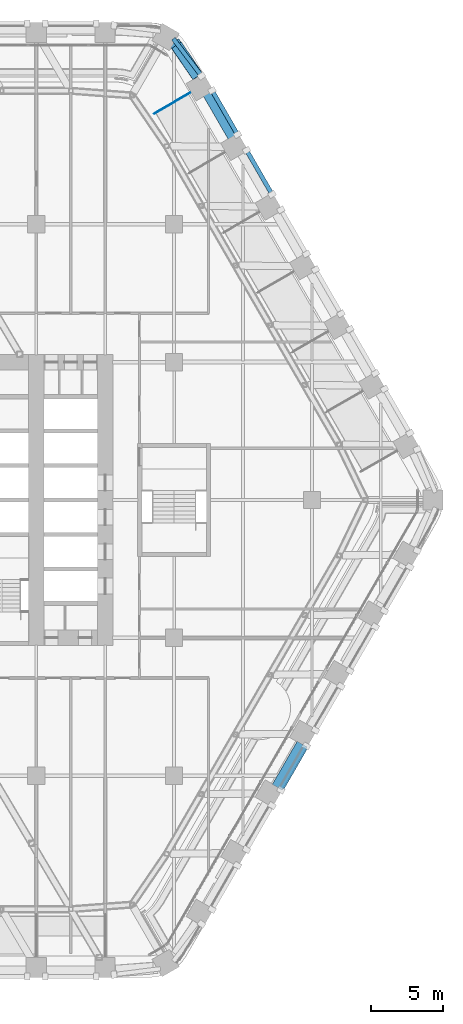
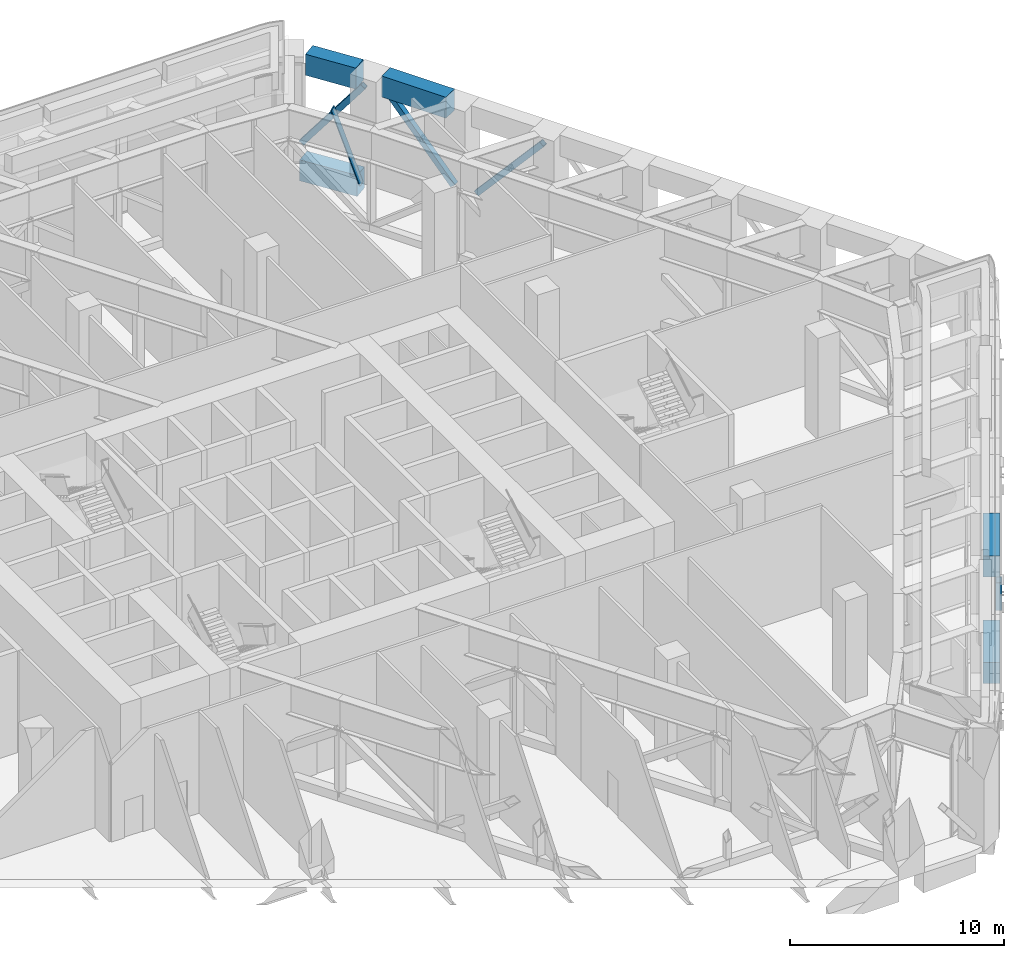
# One storey, part 11 of 35: 5 beams, 5 members, 1 element without a shape of its own.
"""IFC4 building model written with IfcOpenShell, lengths in metres."""

from ifc_helpers import new_model, si_unit, direction, frame, origin, origin_2d, place, context, subcontext, project, spatial, rectangle, hollow_rectangle, extrude, material, material_profile, profile_set, type_object, element, aggregate, save


model = new_model("IFC4")

# Units and contexts
model_context = context("Model", 3, precision=1e-05, world=origin(), true_north=direction((0.0, 1.0)))
body_context = subcontext(model_context, "Body", "Model", "MODEL_VIEW")
ifc_project = project(units=[si_unit("LENGTHUNIT", "METRE"), si_unit("AREAUNIT", "SQUARE_METRE"), si_unit("VOLUMEUNIT", "CUBIC_METRE"), si_unit("PLANEANGLEUNIT", "RADIAN"), si_unit("MASSUNIT", "GRAM", prefix="KILO")], contexts=[model_context])

# Site, building, storey
site_placement = place(None, origin())
site = spatial("IfcSite", under=ifc_project, at=site_placement, CompositionType="ELEMENT")
building_placement = place(site_placement, origin())
building = spatial("IfcBuilding", under=site, at=building_placement, Name="Kolab Exchange Tower", CompositionType="ELEMENT")
storey_placement = place(building_placement, frame((0.0, 0.0, 71.89990234375)))
storey = spatial("IfcBuildingStorey", under=building, at=storey_placement, Name="L13", CompositionType="ELEMENT", Elevation=71.89990234375)

# Members
ifc_material_1 = material(Name="Steel S355", Category="steel")
ifc_material_profile_1 = material_profile(ifc_material_1, hollow_rectangle(XDim=0.300048828125, YDim=0.300048828125, WallThickness=0.01611328125, at=origin_2d()), Name="HSS300X300X16")
ifc_profile_set_1 = profile_set([ifc_material_profile_1], Name="Steel S355")
member_type_1 = type_object("IfcMemberType", Name="BELT TRUSS BRACE HSS300X300X16", PredefinedType="BRACE", material=ifc_profile_set_1)
member_1_placement = place(storey_placement, frame((19.220947265625, 32.02978515625, 0.400146484375), z_axis=(0.369353435325, -0.486393319457, 0.791833049703), x_axis=(0.7964030968, 0.604766159278, 0.0)))
element("IfcMember", 1, at=member_1_placement, inside=storey, type_object=member_type_1, Name="mem/L13/fb/F2-01", PredefinedType="BRACE", context=body_context, shape_type="SweptSolid", body=[
    extrude(hollow_rectangle(XDim=0.300048828125, YDim=0.300048828125, WallThickness=0.01611328125, at=origin_2d()), origin(), (0.0, 0.0, 1.0), 5.11474609375),
])
for number, where, z_axis, x_axis, name in (
    (2, (21.851318359375, 28.51171875, 4.4501953125), (0.328639455646, -0.569235883224, -0.753635599904), (0.866031355668, 0.499989690894, 0.0), "mem/L13/fb/F2-02"),
    (3, (24.251220703125, 24.354736328125, 0.400146484375), (0.328679977978, -0.569227384114, 0.753624347571), (0.866001427184, 0.500041526391, 0.0), "mem/L13/fb/F2-03"),
):
    element("IfcMember", number, at=place(storey_placement, frame(where, z_axis=z_axis, x_axis=x_axis)), inside=storey, type_object=member_type_1, Name=name, PredefinedType="BRACE", context=body_context, shape_type="SweptSolid", body=[
        extrude(hollow_rectangle(XDim=0.300048828125, YDim=0.300048828125, WallThickness=0.01611328125, at=origin_2d()), origin(), (0.0, 0.0, 1.0), 5.3740234375),
    ])
member_2_placement = place(storey_placement, frame((28.41748046875, -17.138916015625, 0.400146484375), z_axis=(-0.328647954349, -0.569205172801, 0.753655089121), x_axis=(0.866014075672, -0.500019620354, 0.0)))
element("IfcMember", 4, at=member_2_placement, inside=storey, type_object=member_type_1, Name="mem/L13/fb/F3-05", PredefinedType="BRACE", context=body_context, shape_type="SweptSolid", body=[
    extrude(hollow_rectangle(XDim=0.300048828125, YDim=0.300048828125, WallThickness=0.01611328125, at=origin_2d()), origin(), (0.0, 0.0, 1.0), 5.373779296875),
])

# Curtain wall, member
ifc_material_2 = material(Name="Aluminium EN AW-6063 T6", Category="aluminium")
curtain_wall_type = type_object("IfcCurtainWallType", Name="CANTED BAND CURTAIN WALL", PredefinedType="NOTDEFINED", material=ifc_material_2)
curtain_wall_placement = place(storey_placement, origin())
curtain_wall = element("IfcCurtainWall", 5, at=curtain_wall_placement, inside=storey, type_object=curtain_wall_type, Name="band/L13/F2", PredefinedType="NOTDEFINED")
ifc_material_profile_2 = material_profile(ifc_material_2, rectangle(XDim=0.06005859375, YDim=0.300048828125, at=origin_2d()), Name="RECT 60X300")
ifc_profile_set_2 = profile_set([ifc_material_profile_2], Name="Aluminium EN AW-6063 T6")
member_type_2 = type_object("IfcMemberType", Name="CANTED BAND MULLION 60 X 300", PredefinedType="MULLION", material=ifc_profile_set_2)
member_3_placement = place(storey_placement, frame((20.231689453125, 28.308349609375, -0.099853515625), z_axis=(-0.355833859075, -0.205421357987, 0.911693111973), x_axis=(0.499964557259, -0.866045865693, 0.0)))
member_3 = element("IfcMember", 6, at=member_3_placement, type_object=member_type_2, Name="Band mullion", PredefinedType="MULLION", context=body_context, shape_type="SweptSolid", body=[
    extrude(rectangle(XDim=0.06005859375, YDim=0.300048828125, at=origin_2d()), origin(), (0.0, 0.0, 1.0), 6.515380859375),
])
aggregate(curtain_wall, [member_3])

# Beams
ifc_material_3 = material(Name="Concrete C80/95", Category="concrete")
ifc_material_profile_3 = material_profile(ifc_material_3, rectangle(XDim=0.800048828125, YDim=1.199951171875, at=origin_2d()), Name="RC800X1200")
ifc_profile_set_3 = profile_set([ifc_material_profile_3], Name="Concrete C80/95")
beam_type = type_object("IfcBeamType", Name="SPANDREL BEAM 800X1200 C80/95", PredefinedType="BEAM", material=ifc_profile_set_3)
beam_1_placement = place(storey_placement, frame((19.18505859375, 31.901611328125, -0.89990234375), z_axis=(0.567247290755, -0.823547516013, 0.0), x_axis=(0.823547516013, 0.567247290755, 0.0)))
element("IfcBeam", 7, at=beam_1_placement, inside=storey, type_object=beam_type, Name="beam/L13/sp/F2-01", PredefinedType="BEAM", context=body_context, shape_type="SweptSolid", body=[
    extrude(rectangle(XDim=0.800048828125, YDim=1.199951171875, at=origin_2d()), origin(), (0.0, 0.0, 1.0), 2.984375),
])
beam_2_placement = place(storey_placement, frame((28.12353515625, -16.999267578125, -0.89990234375), z_axis=(-0.500009906705, -0.86601968407, 0.0), x_axis=(0.86601968407, -0.500009906705, 0.0)))
element("IfcBeam", 8, at=beam_2_placement, inside=storey, type_object=beam_type, Name="beam/L13/sp/F3-05", PredefinedType="BEAM", context=body_context, shape_type="SweptSolid", body=[
    extrude(rectangle(XDim=0.800048828125, YDim=1.199951171875, at=origin_2d()), origin(), (0.0, 0.0, 1.0), 3.47998046875),
])
beam_3_placement = place(storey_placement, frame((19.368896484375, 31.67529296875, 5.2001953125), z_axis=(0.561762947401, -0.827298247869, 0.0), x_axis=(0.827298247869, 0.561762947401, 0.0)))
element("IfcBeam", 9, at=beam_3_placement, inside=storey, type_object=beam_type, Name="beam/L13/cp/F2-01", PredefinedType="BEAM", context=body_context, shape_type="SweptSolid", body=[
    extrude(rectangle(XDim=0.800048828125, YDim=1.199951171875, at=origin_2d()), origin(), (0.0, 0.0, 1.0), 2.625),
])
beam_4_placement = place(storey_placement, frame((21.58349609375, 28.326904296875, 5.2001953125), z_axis=(0.499979528911, -0.866037222451, 0.0), x_axis=(0.866037222451, 0.499979528911, 0.0)))
element("IfcBeam", 10, at=beam_4_placement, inside=storey, type_object=beam_type, Name="beam/L13/cp/F2-02", PredefinedType="BEAM", context=body_context, shape_type="SweptSolid", body=[
    extrude(rectangle(XDim=0.800048828125, YDim=1.199951171875, at=origin_2d()), origin(), (0.0, 0.0, 1.0), 3.480224609375),
])
beam_5_placement = place(storey_placement, frame((28.12353515625, -16.999267578125, 5.2001953125), z_axis=(-0.500009906705, -0.86601968407, 0.0), x_axis=(0.86601968407, -0.500009906705, 0.0)))
element("IfcBeam", 11, at=beam_5_placement, inside=storey, type_object=beam_type, Name="beam/L13/cp/F3-05", PredefinedType="BEAM", context=body_context, shape_type="SweptSolid", body=[
    extrude(rectangle(XDim=0.800048828125, YDim=1.199951171875, at=origin_2d()), origin(), (0.0, 0.0, 1.0), 3.47998046875),
])

save(model, "model.ifc")
